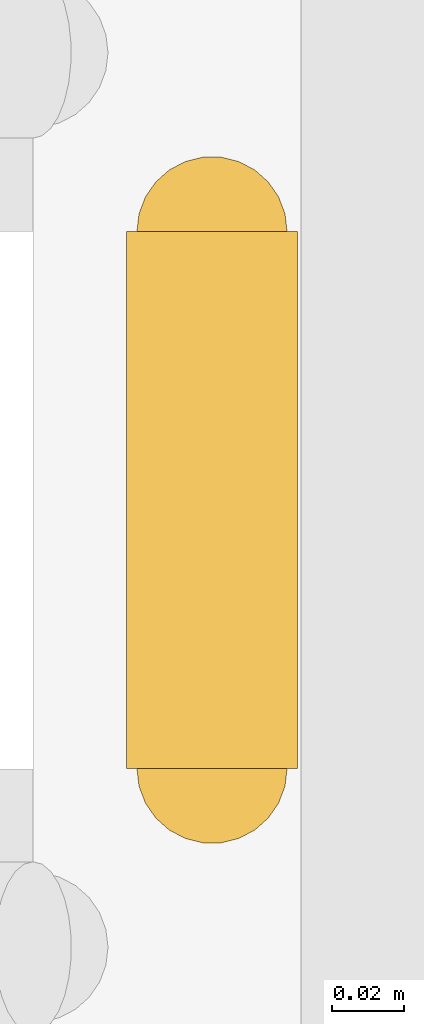
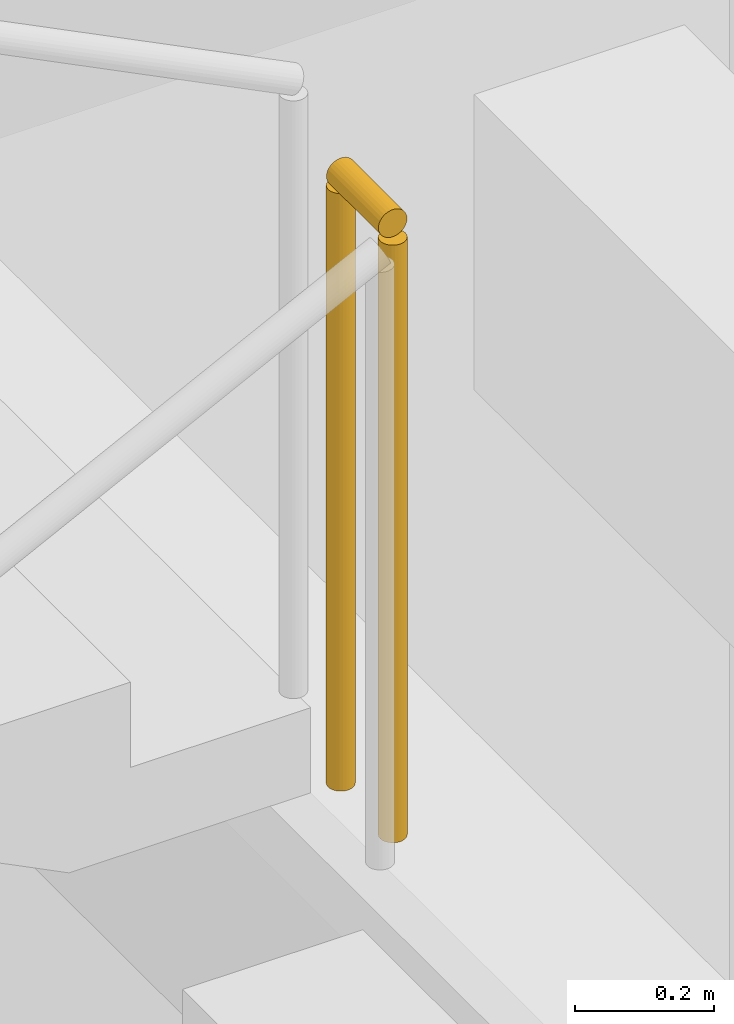
# One storey, part 164 of 169: 1 railing.
"""IFC4 building model written with IfcOpenShell, lengths in metres."""

from ifc_helpers import new_model, si_unit, direction, frame, origin, origin_2d, place, context, subcontext, project, spatial, circle, extrude, material, type_object, element, save


model = new_model("IFC4")

# Units and contexts
model_context = context("Model", 3, precision=1e-05, world=origin(), true_north=direction((0.0, 1.0)))
body_context = subcontext(model_context, "Body", "Model", "MODEL_VIEW")
ifc_project = project(units=[si_unit("LENGTHUNIT", "METRE"), si_unit("AREAUNIT", "SQUARE_METRE"), si_unit("VOLUMEUNIT", "CUBIC_METRE"), si_unit("PLANEANGLEUNIT", "RADIAN"), si_unit("MASSUNIT", "GRAM", prefix="KILO")], contexts=[model_context])

# Site, building, storey
site_placement = place(None, origin())
site = spatial("IfcSite", under=ifc_project, at=site_placement, CompositionType="ELEMENT")
building_placement = place(site_placement, origin())
building = spatial("IfcBuilding", under=site, at=building_placement, Name="Mazaris Harbour Polytechnic", CompositionType="ELEMENT")
storey_placement = place(building_placement, origin())
storey = spatial("IfcBuildingStorey", under=building, at=storey_placement, Name="L00", CompositionType="ELEMENT", Elevation=0.0)

# Railing
ifc_material = material(Name="Steel S355", Category="steel")
railing_type = type_object("IfcRailingType", Name="Stair Well Guardrail 1100", PredefinedType="GUARDRAIL", material=ifc_material)
railing_placement = place(storey_placement, frame((159.60009765625, 38.85009765625, 2.699951171875)))
element("IfcRailing", 1, at=railing_placement, inside=storey, type_object=railing_type, Name="L00 ST04 stair guard 2", PredefinedType="GUARDRAIL", context=body_context, shape_type="SweptSolid", body=[
    extrude(circle(Radius=0.02392578125, at=origin_2d()), frame((0.0, 0.0, 1.076171875), z_axis=(0.0, 1.0, 0.0), x_axis=(-1.0, 0.0, 0.0)), (0.0, 0.0, 1.0), 0.14990234375),
    extrude(circle(Radius=0.02099609375, at=origin_2d()), origin(), (0.0, 0.0, 1.0), 1.052001953125),
    extrude(circle(Radius=0.02099609375, at=origin_2d()), frame((0.0, 0.14990234375, 0.0)), (0.0, 0.0, 1.0), 1.052001953125),
])

save(model, "model.ifc")
